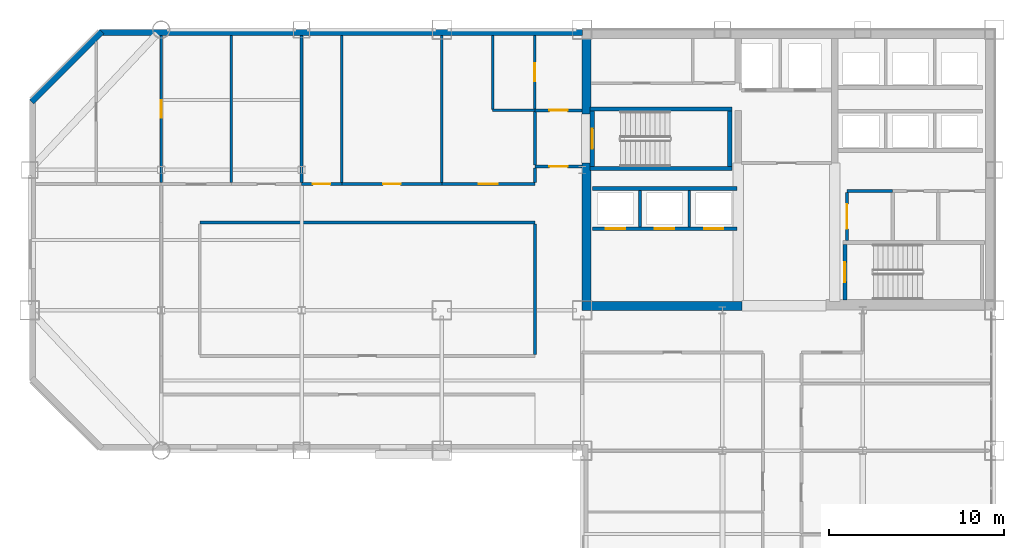
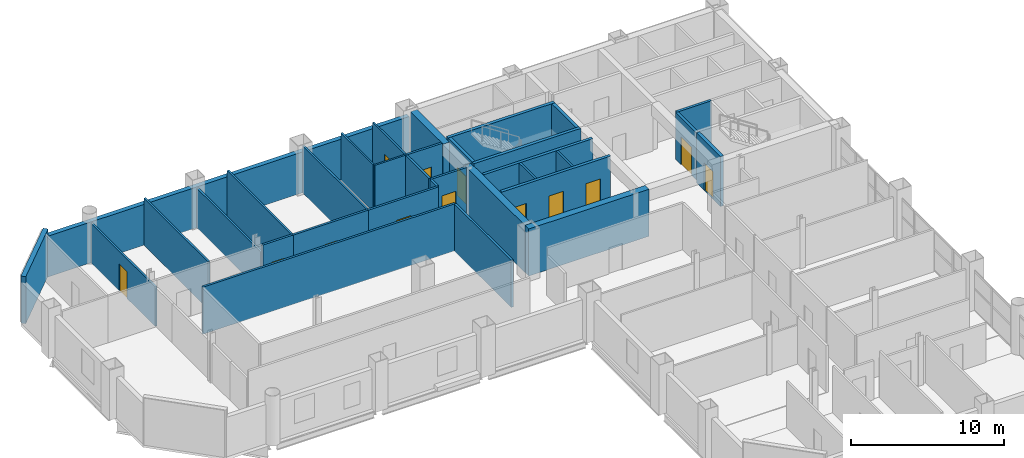
# One storey, part 13 of 16: 33 walls, 13 doors, 13 openings.
"""IFC4 building model written with IfcOpenShell, lengths in metres."""

from ifc_helpers import new_model, si_unit, direction, frame, frame_2d, origin, place, context, subcontext, project, spatial, rectangle, extrude, material, layer, layer_set, type_object, element, fill, save


model = new_model("IFC4")

# Units and contexts
model_context = context("Model", 3, precision=1e-05, world=origin(), true_north=direction((0.0, 1.0)))
body_context = subcontext(model_context, "Body", "Model", "MODEL_VIEW")
ifc_project = project(units=[si_unit("LENGTHUNIT", "METRE"), si_unit("AREAUNIT", "SQUARE_METRE"), si_unit("VOLUMEUNIT", "CUBIC_METRE"), si_unit("PLANEANGLEUNIT", "RADIAN"), si_unit("MASSUNIT", "GRAM", prefix="KILO")], contexts=[model_context])

# Site, building, storey
site_placement = place(None, origin())
site = spatial("IfcSite", under=ifc_project, at=site_placement, CompositionType="ELEMENT")
building_placement = place(site_placement, origin())
building = spatial("IfcBuilding", under=site, at=building_placement, Name="Qianrong Seaharbour Tower", CompositionType="ELEMENT")
storey_placement = place(building_placement, frame((0.0, 0.0, 127.0)))
storey = spatial("IfcBuildingStorey", under=building, at=storey_placement, Name="L30", CompositionType="ELEMENT", Elevation=127.0)

# Walls
ifc_material_1 = material(Name="Concrete C60/75", Category="concrete")
ifc_layer_1 = layer(ifc_material_1, 0.5)
ifc_layer_set_1 = layer_set([ifc_layer_1], Name="Concrete C60/75")
wall_type_1 = type_object("IfcWallType", Name="WALL-CORE-500", PredefinedType="SHEAR", material=ifc_layer_set_1)
wall_1_placement = place(storey_placement, frame((40.75, 36.5, 0.0), z_axis=(0.0, 0.0, 1.0), x_axis=(0.0, 1.0, 0.0)))
element("IfcWall", 1, at=wall_1_placement, inside=storey, type_object=wall_type_1, Name="L30 West Core Shear Wall South", PredefinedType="SHEAR", context=body_context, shape_type="SweptSolid", body=[
    extrude(rectangle(XDim=7.89990234375, YDim=0.5, at=frame_2d((3.949951171875, 0.0))), origin(), (0.0, 0.0, 1.0), 3.764892578125),
])
wall_2_placement = place(storey_placement, frame((40.75, 47.199951171875, 0.0), z_axis=(0.0, 0.0, 1.0), x_axis=(0.0, 1.0, 0.0)))
element("IfcWall", 2, at=wall_2_placement, inside=storey, type_object=wall_type_1, Name="L30 West Core Shear Wall North", PredefinedType="SHEAR", context=body_context, shape_type="SweptSolid", body=[
    extrude(rectangle(XDim=4.300048828125, YDim=0.5, at=frame_2d((2.14990234375, 0.0))), origin(), (0.0, 0.0, 1.0), 3.764892578125),
])
wall_3_placement = place(storey_placement, frame((40.5, 36.25, 0.0), z_axis=(0.0, 0.0, 1.0), x_axis=(1.0, 0.0, 0.0)))
element("IfcWall", 3, at=wall_3_placement, inside=storey, type_object=wall_type_1, Name="L30 South Core Shear Wall S1", PredefinedType="SHEAR", context=body_context, shape_type="SweptSolid", body=[
    extrude(rectangle(XDim=9.10009765625, YDim=0.5, at=frame_2d((4.550048828125, 0.0))), origin(), (0.0, 0.0, 1.0), 3.764892578125),
])

# Wall, opening, door
ifc_material_2 = material(Name="Fire-rated acoustic gypsum board partition")
ifc_layer_2 = layer(ifc_material_2, 0.1650390625)
ifc_layer_set_2 = layer_set([ifc_layer_2], Name="Fire-rated acoustic gypsum board partition")
wall_type_2 = type_object("IfcWallType", Name="WALL-CORR-PART-165", PredefinedType="PARTITIONING", material=ifc_layer_set_2)
wall_4_placement = place(storey_placement, frame((37.800048828125, 47.39990234375, 0.0), z_axis=(0.0, 0.0, 1.0), x_axis=(1.0, 0.0, 0.0)))
wall_4 = element("IfcWall", 4, at=wall_4_placement, inside=storey, type_object=wall_type_2, Name="L30 Interior Partition Wall 001", PredefinedType="PARTITIONING", context=body_context, shape_type="SweptSolid", body=[
    extrude(rectangle(XDim=2.699951171875, YDim=0.1650390625, at=frame_2d((1.35009765625, 0.0))), origin(), (0.0, 0.0, 1.0), 3.764892578125),
])
opening_1_placement = place(wall_4_placement, frame((0.824951171875, 0.0, 0.0)))
opening_1 = element("IfcOpeningElement", 5, at=opening_1_placement, cuts=wall_4, Name="Opening DC-01", PredefinedType="OPENING", context=body_context, shape_type="SweptSolid", body=[
    extrude(rectangle(XDim=1.050048828125, YDim=2.14990234375, at=frame_2d((0.52490234375, 1.074951171875))), frame((0.0, 0.092529296875, 0.0), z_axis=(0.0, -1.0, 0.0), x_axis=(1.0, 0.0, 0.0)), (0.0, 0.0, 1.0), 0.18505859375),
])
ifc_material_3 = material(Name="Acoustic timber and galvanized steel fire door assembly", Category="steel")
door_type_1 = type_object("IfcDoorType", Name="DOOR-CORR-FD60-1050x2150", OperationType="NOTDEFINED", PredefinedType="DOOR", material=ifc_material_3)
door_1_placement = place(opening_1_placement, origin())
door_1 = element("IfcDoor", 6, at=door_1_placement, inside=storey, type_object=door_type_1, Name="L30 Smokeproof Stair Vestibule ST-1 Door", OperationType="SINGLE_SWING_RIGHT", OverallHeight=2.14990234375, OverallWidth=1.050048828125, PredefinedType="DOOR", context=body_context, shape_type="SweptSolid", body=[
    extrude(rectangle(XDim=1.050048828125, YDim=2.14990234375, at=frame_2d((0.52490234375, 1.074951171875))), frame((0.0, 0.02490234375, 0.0), z_axis=(0.0, -1.0, 0.0), x_axis=(1.0, 0.0, 0.0)), (0.0, 0.0, 1.0), 0.050048828125),
])
fill(opening_1, door_1)

wall_5_placement = place(storey_placement, frame((40.5, 44.199951171875, 0.0), z_axis=(0.0, 0.0, 1.0), x_axis=(-1.0, 0.0, 0.0)))
wall_5 = element("IfcWall", 7, at=wall_5_placement, inside=storey, type_object=wall_type_2, Name="L30 Interior Partition Wall 002", PredefinedType="PARTITIONING", context=body_context, shape_type="SweptSolid", body=[
    extrude(rectangle(XDim=2.699951171875, YDim=0.1650390625, at=frame_2d((1.35009765625, 0.0))), origin(), (0.0, 0.0, 1.0), 3.764892578125),
])
opening_2_placement = place(wall_5_placement, frame((0.824951171875, 0.0, 0.0)))
opening_2 = element("IfcOpeningElement", 8, at=opening_2_placement, cuts=wall_5, Name="Opening DC-01", PredefinedType="OPENING", context=body_context, shape_type="SweptSolid", body=[
    extrude(rectangle(XDim=1.050048828125, YDim=2.14990234375, at=frame_2d((0.52490234375, 1.074951171875))), frame((0.0, 0.092529296875, 0.0), z_axis=(0.0, -1.0, 0.0), x_axis=(1.0, 0.0, 0.0)), (0.0, 0.0, 1.0), 0.18505859375),
])
door_2_placement = place(opening_2_placement, origin())
door_2 = element("IfcDoor", 9, at=door_2_placement, inside=storey, type_object=door_type_1, Name="L30 Smokeproof Stair Vestibule ST-1 Door", OperationType="SINGLE_SWING_LEFT", OverallHeight=2.14990234375, OverallWidth=1.050048828125, PredefinedType="DOOR", context=body_context, shape_type="SweptSolid", body=[
    extrude(rectangle(XDim=1.050048828125, YDim=2.14990234375, at=frame_2d((0.52490234375, 1.074951171875))), frame((0.0, 0.02490234375, 0.0), z_axis=(0.0, -1.0, 0.0), x_axis=(1.0, 0.0, 0.0)), (0.0, 0.0, 1.0), 0.050048828125),
])
fill(opening_2, door_2)

# Walls
wall_6_placement = place(storey_placement, frame((37.800048828125, 44.2744140625, 0.0), z_axis=(0.0, 0.0, 1.0), x_axis=(0.0, 1.0, 0.0)))
element("IfcWall", 10, at=wall_6_placement, inside=storey, type_object=wall_type_2, Name="L30 Interior Partition Wall 003", PredefinedType="PARTITIONING", context=body_context, shape_type="SweptSolid", body=[
    extrude(rectangle(XDim=3.051025390625, YDim=0.1650390625, at=frame_2d((1.525390625, 0.0))), origin(), (0.0, 0.0, 1.0), 3.764892578125),
])
wall_7_placement = place(storey_placement, frame((37.800048828125, 41.0, 0.0), z_axis=(0.0, 0.0, 1.0), x_axis=(-1.0, 0.0, 0.0)))
element("IfcWall", 11, at=wall_7_placement, inside=storey, type_object=wall_type_2, Name="L30 Interior Partition Wall 021", PredefinedType="PARTITIONING", context=body_context, shape_type="SweptSolid", body=[
    extrude(rectangle(XDim=19.10009765625, YDim=0.1650390625, at=frame_2d((9.550048828125, 0.0))), origin(), (0.0, 0.0, 1.0), 3.764892578125),
])

# Wall, opening, door
wall_8_placement = place(storey_placement, frame((24.5, 43.199951171875, 0.0), z_axis=(0.0, 0.0, 1.0), x_axis=(1.0, 0.0, 0.0)))
wall_8 = element("IfcWall", 12, at=wall_8_placement, inside=storey, type_object=wall_type_2, Name="L30 Interior Partition Wall 024", PredefinedType="PARTITIONING", context=body_context, shape_type="SweptSolid", body=[
    extrude(rectangle(XDim=2.300048828125, YDim=0.1650390625, at=frame_2d((1.14990234375, 0.0))), origin(), (0.0, 0.0, 1.0), 3.764892578125),
])
opening_3_placement = place(wall_8_placement, frame((0.64990234375, 0.0, 0.0)))
opening_3 = element("IfcOpeningElement", 13, at=opening_3_placement, cuts=wall_8, Name="Opening DO-01", PredefinedType="OPENING", context=body_context, shape_type="SweptSolid", body=[
    extrude(rectangle(XDim=1.0, YDim=2.14990234375, at=frame_2d((0.5, 1.074951171875))), frame((0.0, 0.092529296875, 0.0), z_axis=(0.0, -1.0, 0.0), x_axis=(1.0, 0.0, 0.0)), (0.0, 0.0, 1.0), 0.18505859375),
])
door_type_2 = type_object("IfcDoorType", Name="DOOR-OFFICE-1000x2150", OperationType="NOTDEFINED", PredefinedType="DOOR", material=ifc_material_3)
door_3_placement = place(opening_3_placement, origin())
door_3 = element("IfcDoor", 14, at=door_3_placement, inside=storey, type_object=door_type_2, Name="L30 Executive Office 5 Door", OperationType="SINGLE_SWING_LEFT", OverallHeight=2.14990234375, OverallWidth=1.0, PredefinedType="DOOR", context=body_context, shape_type="SweptSolid", body=[
    extrude(rectangle(XDim=1.0, YDim=2.14990234375, at=frame_2d((0.5, 1.074951171875))), frame((0.0, 0.02490234375, 0.0), z_axis=(0.0, -1.0, 0.0), x_axis=(1.0, 0.0, 0.0)), (0.0, 0.0, 1.0), 0.050048828125),
])
fill(opening_3, door_3)

wall_9_placement = place(storey_placement, frame((26.800048828125, 43.199951171875, 0.0), z_axis=(0.0, 0.0, 1.0), x_axis=(1.0, 0.0, 0.0)))
wall_9 = element("IfcWall", 15, at=wall_9_placement, inside=storey, type_object=wall_type_2, Name="L30 Interior Partition Wall 025", PredefinedType="PARTITIONING", context=body_context, shape_type="SweptSolid", body=[
    extrude(rectangle(XDim=5.699951171875, YDim=0.1650390625, at=frame_2d((2.85009765625, 0.0))), origin(), (0.0, 0.0, 1.0), 3.764892578125),
])
opening_4_placement = place(wall_9_placement, frame((2.35009765625, 0.0, 0.0)))
opening_4 = element("IfcOpeningElement", 16, at=opening_4_placement, cuts=wall_9, Name="Opening DO-01", PredefinedType="OPENING", context=body_context, shape_type="SweptSolid", body=[
    extrude(rectangle(XDim=1.0, YDim=2.14990234375, at=frame_2d((0.5, 1.074951171875))), frame((0.0, 0.092529296875, 0.0), z_axis=(0.0, -1.0, 0.0), x_axis=(1.0, 0.0, 0.0)), (0.0, 0.0, 1.0), 0.18505859375),
])
door_4_placement = place(opening_4_placement, origin())
door_4 = element("IfcDoor", 17, at=door_4_placement, inside=storey, type_object=door_type_2, Name="L30 Focus Room 6 Door", OperationType="SINGLE_SWING_RIGHT", OverallHeight=2.14990234375, OverallWidth=1.0, PredefinedType="DOOR", context=body_context, shape_type="SweptSolid", body=[
    extrude(rectangle(XDim=1.0, YDim=2.14990234375, at=frame_2d((0.5, 1.074951171875))), frame((0.0, 0.02490234375, 0.0), z_axis=(0.0, -1.0, 0.0), x_axis=(1.0, 0.0, 0.0)), (0.0, 0.0, 1.0), 0.050048828125),
])
fill(opening_4, door_4)

wall_10_placement = place(storey_placement, frame((32.5, 43.199951171875, 0.0), z_axis=(0.0, 0.0, 1.0), x_axis=(1.0, 0.0, 0.0)))
wall_10 = element("IfcWall", 18, at=wall_10_placement, inside=storey, type_object=wall_type_2, Name="L30 Interior Partition Wall 026", PredefinedType="PARTITIONING", context=body_context, shape_type="SweptSolid", body=[
    extrude(rectangle(XDim=5.300048828125, YDim=0.1650390625, at=frame_2d((2.64990234375, 0.0))), origin(), (0.0, 0.0, 1.0), 3.764892578125),
])
opening_5_placement = place(wall_10_placement, frame((2.10009765625, 0.0, 0.0)))
opening_5 = element("IfcOpeningElement", 19, at=opening_5_placement, cuts=wall_10, Name="Opening DM-01", PredefinedType="OPENING", context=body_context, shape_type="SweptSolid", body=[
    extrude(rectangle(XDim=1.10009765625, YDim=2.199951171875, at=frame_2d((0.550048828125, 1.10009765625))), frame((0.0, 0.092529296875, 0.0), z_axis=(0.0, -1.0, 0.0), x_axis=(1.0, 0.0, 0.0)), (0.0, 0.0, 1.0), 0.18505859375),
])
door_type_3 = type_object("IfcDoorType", Name="DOOR-MEET-1100x2200", OperationType="NOTDEFINED", PredefinedType="DOOR", material=ifc_material_3)
door_5_placement = place(opening_5_placement, origin())
door_5 = element("IfcDoor", 20, at=door_5_placement, inside=storey, type_object=door_type_3, Name="L30 Meeting Room 7 Door", OperationType="SINGLE_SWING_LEFT", OverallHeight=2.199951171875, OverallWidth=1.10009765625, PredefinedType="DOOR", context=body_context, shape_type="SweptSolid", body=[
    extrude(rectangle(XDim=1.10009765625, YDim=2.199951171875, at=frame_2d((0.550048828125, 1.10009765625))), frame((0.0, 0.02490234375, 0.0), z_axis=(0.0, -1.0, 0.0), x_axis=(1.0, 0.0, 0.0)), (0.0, 0.0, 1.0), 0.050048828125),
])
fill(opening_5, door_5)

# Walls
wall_11_placement = place(storey_placement, frame((37.800048828125, 33.474609375, 0.0), z_axis=(0.0, 0.0, 1.0), x_axis=(0.0, 1.0, 0.0)))
element("IfcWall", 21, at=wall_11_placement, inside=storey, type_object=wall_type_2, Name="L30 Interior Partition Wall 029", PredefinedType="PARTITIONING", context=body_context, shape_type="SweptSolid", body=[
    extrude(rectangle(XDim=7.450927734375, YDim=0.1650390625, at=frame_2d((3.7255859375, 0.0))), origin(), (0.0, 0.0, 1.0), 3.764892578125),
])
wall_12_placement = place(storey_placement, frame((37.800048828125, 43.2744140625, 0.0), z_axis=(0.0, 0.0, 1.0), x_axis=(0.0, 1.0, 0.0)))
element("IfcWall", 22, at=wall_12_placement, inside=storey, type_object=wall_type_2, Name="L30 Interior Partition Wall 030", PredefinedType="PARTITIONING", context=body_context, shape_type="SweptSolid", body=[
    extrude(rectangle(XDim=0.85107421875, YDim=0.1650390625, at=frame_2d((0.425537109375, 0.0))), origin(), (0.0, 0.0, 1.0), 3.764892578125),
])
ifc_material_4 = material(Name="Unitised buff brick on Precast concrete C45/55", Category="masonry")
ifc_layer_3 = layer(ifc_material_4, 0.340087890625)
ifc_layer_set_3 = layer_set([ifc_layer_3], Name="Unitised buff brick on Precast concrete C45/55")
wall_type_3 = type_object("IfcWallType", Name="WALL-EXT-BRICK-BUFF-340", PredefinedType="SOLIDWALL", material=ifc_layer_set_3)
wall_13_placement = place(storey_placement, frame((9.1201171875, 47.8798828125, 0.0), z_axis=(0.0, 0.0, 1.0), x_axis=(0.707106781187, 0.707106781187, 0.0)))
element("IfcWall", 23, at=wall_13_placement, inside=storey, type_object=wall_type_3, Name="L30 Exterior Masonry Facade Wall E04", PredefinedType="SOLIDWALL", context=body_context, shape_type="SweptSolid", body=[
    extrude(rectangle(XDim=5.65673828125, YDim=0.340087890625, at=frame_2d((2.828369140625, 0.0))), origin(), (0.0, 0.0, 1.0), 3.764892578125),
])
wall_14_placement = place(storey_placement, frame((13.0, 51.830078125, 0.0), z_axis=(0.0, 0.0, 1.0), x_axis=(1.0, 0.0, 0.0)))
element("IfcWall", 24, at=wall_14_placement, inside=storey, type_object=wall_type_3, Name="L30 Exterior Masonry Facade Wall NORTH_WING", PredefinedType="SOLIDWALL", context=body_context, shape_type="SweptSolid", body=[
    extrude(rectangle(XDim=27.52001953125, YDim=0.340087890625, at=frame_2d((13.760009765625, 0.0))), origin(), (0.0, 0.0, 1.0), 3.264892578125),
])

# Wall, opening, door
ifc_material_5 = material(Name="Double fire-rated gypsum board acoustic partition")
ifc_layer_4 = layer(ifc_material_5, 0.18994140625)
ifc_layer_set_4 = layer_set([ifc_layer_4], Name="Double fire-rated gypsum board acoustic partition")
wall_type_4 = type_object("IfcWallType", Name="WALL-FIRE-PART-190", PredefinedType="PARTITIONING", material=ifc_layer_set_4)
wall_15_placement = place(storey_placement, frame((55.60009765625, 42.712890625, 0.0), z_axis=(0.0, 0.0, 1.0), x_axis=(0.0, -1.0, 0.0)))
wall_15 = element("IfcWall", 25, at=wall_15_placement, inside=storey, type_object=wall_type_4, Name="L30 Interior Partition Wall 010", PredefinedType="PARTITIONING", context=body_context, shape_type="SweptSolid", body=[
    extrude(rectangle(XDim=2.73095703125, YDim=0.18994140625, at=frame_2d((1.365478515625, 0.0))), origin(), (0.0, 0.0, 1.0), 3.764892578125),
])
opening_6_placement = place(wall_15_placement, frame((0.66552734375, 0.0, 0.0)))
opening_6 = element("IfcOpeningElement", 26, at=opening_6_placement, cuts=wall_15, Name="Opening DP-01", PredefinedType="OPENING", context=body_context, shape_type="SweptSolid", body=[
    extrude(rectangle(XDim=1.39990234375, YDim=2.25, at=frame_2d((0.699951171875, 1.125))), frame((0.0, 0.10498046875, 0.0), z_axis=(0.0, -1.0, 0.0), x_axis=(1.0, 0.0, 0.0)), (0.0, 0.0, 1.0), 0.2099609375),
])
door_type_4 = type_object("IfcDoorType", Name="DOOR-PLANT-PAIR-1400x2250", OperationType="DOUBLE_DOOR_SINGLE_SWING", PredefinedType="DOOR", material=ifc_material_3)
door_6_placement = place(opening_6_placement, origin())
door_6 = element("IfcDoor", 27, at=door_6_placement, inside=storey, type_object=door_type_4, Name="L30 Core Telecom Room Door", OperationType="DOUBLE_DOOR_SINGLE_SWING", OverallHeight=2.25, OverallWidth=1.39990234375, PredefinedType="DOOR", context=body_context, shape_type="SweptSolid", body=[
    extrude(rectangle(XDim=1.39990234375, YDim=2.25, at=frame_2d((0.699951171875, 1.125))), frame((0.0, 0.02490234375, 0.0), z_axis=(0.0, -1.0, 0.0), x_axis=(1.0, 0.0, 0.0)), (0.0, 0.0, 1.0), 0.050048828125),
])
fill(opening_6, door_6)

# Wall
wall_16_placement = place(storey_placement, frame((58.199951171875, 42.800048828125, 0.0), z_axis=(0.0, 0.0, 1.0), x_axis=(-1.0, 0.0, 0.0)))
element("IfcWall", 28, at=wall_16_placement, inside=storey, type_object=wall_type_4, Name="L30 Interior Partition Wall 011", PredefinedType="PARTITIONING", context=body_context, shape_type="SweptSolid", body=[
    extrude(rectangle(XDim=2.599853515625, YDim=0.18994140625, at=frame_2d((1.2998046875, 0.0))), origin(), (0.0, 0.0, 1.0), 3.764892578125),
])

# Wall, opening, door
ifc_material_6 = material(Name="Acoustic gypsum board stud partition")
ifc_layer_5 = layer(ifc_material_6, 0.14501953125)
ifc_layer_set_5 = layer_set([ifc_layer_5], Name="Acoustic gypsum board stud partition")
wall_type_5 = type_object("IfcWallType", Name="WALL-OFFICE-PART-145", PredefinedType="PARTITIONING", material=ifc_layer_set_5)
wall_17_placement = place(storey_placement, frame((16.5, 51.66796875, 0.0), z_axis=(0.0, 0.0, 1.0), x_axis=(0.0, -1.0, 0.0)))
wall_17 = element("IfcWall", 29, at=wall_17_placement, inside=storey, type_object=wall_type_5, Name="L30 Interior Partition Wall 051", PredefinedType="PARTITIONING", context=body_context, shape_type="SweptSolid", body=[
    extrude(rectangle(XDim=8.3935546875, YDim=0.14501953125, at=frame_2d((4.19677734375, 0.0))), origin(), (0.0, 0.0, 1.0), 3.156982421875),
])
opening_7_placement = place(wall_17_placement, frame((3.69677734375, 0.0, 0.0)))
opening_7 = element("IfcOpeningElement", 30, at=opening_7_placement, cuts=wall_17, Name="Opening DO-01", PredefinedType="OPENING", context=body_context, shape_type="SweptSolid", body=[
    extrude(rectangle(XDim=1.0, YDim=2.14990234375, at=frame_2d((0.5, 1.074951171875))), frame((0.0, 0.08251953125, 0.0), z_axis=(0.0, -1.0, 0.0), x_axis=(1.0, 0.0, 0.0)), (0.0, 0.0, 1.0), 0.1650390625),
])
door_7_placement = place(opening_7_placement, origin())
door_7 = element("IfcDoor", 31, at=door_7_placement, inside=storey, type_object=door_type_2, Name="L30 Focus Room 2 Door", OperationType="SINGLE_SWING_RIGHT", OverallHeight=2.14990234375, OverallWidth=1.0, PredefinedType="DOOR", context=body_context, shape_type="SweptSolid", body=[
    extrude(rectangle(XDim=1.0, YDim=2.14990234375, at=frame_2d((0.5, 1.074951171875))), frame((0.0, 0.02490234375, 0.0), z_axis=(0.0, -1.0, 0.0), x_axis=(1.0, 0.0, 0.0)), (0.0, 0.0, 1.0), 0.050048828125),
])
fill(opening_7, door_7)

# Walls
wall_18_placement = place(storey_placement, frame((20.5, 51.66796875, 0.0), z_axis=(0.0, 0.0, 1.0), x_axis=(0.0, -1.0, 0.0)))
element("IfcWall", 32, at=wall_18_placement, inside=storey, type_object=wall_type_5, Name="L30 Interior Partition Wall 052", PredefinedType="PARTITIONING", context=body_context, shape_type="SweptSolid", body=[
    extrude(rectangle(XDim=8.3935546875, YDim=0.14501953125, at=frame_2d((4.19677734375, 0.0))), origin(), (0.0, 0.0, 1.0), 3.764892578125),
])
wall_19_placement = place(storey_placement, frame((24.5, 51.66796875, 0.0), z_axis=(0.0, 0.0, 1.0), x_axis=(0.0, -1.0, 0.0)))
element("IfcWall", 33, at=wall_19_placement, inside=storey, type_object=wall_type_5, Name="L30 Interior Partition Wall 053", PredefinedType="PARTITIONING", context=body_context, shape_type="SweptSolid", body=[
    extrude(rectangle(XDim=8.3935546875, YDim=0.14501953125, at=frame_2d((4.19677734375, 0.0))), origin(), (0.0, 0.0, 1.0), 3.156982421875),
])
for number, where, z_axis, x_axis, name in (
    (34, (26.800048828125, 51.66796875, 0.0), (0.0, 0.0, 1.0), (0.0, -1.0, 0.0), "L30 Interior Partition Wall 054"),
    (35, (32.5, 51.66796875, 0.0), (0.0, 0.0, 1.0), (0.0, -1.0, 0.0), "L30 Interior Partition Wall 055"),
):
    element("IfcWall", number, at=place(storey_placement, frame(where, z_axis=z_axis, x_axis=x_axis)), inside=storey, type_object=wall_type_5, Name=name, PredefinedType="PARTITIONING", context=body_context, shape_type="SweptSolid", body=[
        extrude(rectangle(XDim=8.3935546875, YDim=0.14501953125, at=frame_2d((4.19677734375, 0.0))), origin(), (0.0, 0.0, 1.0), 3.764892578125),
    ])
ifc_material_7 = material(Name="Fire-rated gypsum board on steel studs", Category="steel")
ifc_layer_6 = layer(ifc_material_7, 0.14990234375)
ifc_layer_set_6 = layer_set([ifc_layer_6], Name="Fire-rated gypsum board on steel studs")
wall_type_6 = type_object("IfcWallType", Name="WALL-SHAFT-DIV-150", PredefinedType="PARTITIONING", material=ifc_layer_set_6)
for number, where, z_axis, x_axis, name in (
    (36, (43.800048828125, 40.760009765625, 0.0), (0.0, 0.0, 1.0), (0.0, 1.0, 0.0), "L30 P2 Lift Hoistway Divider 2"),
    (37, (46.60009765625, 40.760009765625, 0.0), (0.0, 0.0, 1.0), (0.0, 1.0, 0.0), "L30 P2 Lift Hoistway Divider 3"),
):
    element("IfcWall", number, at=place(storey_placement, frame(where, z_axis=z_axis, x_axis=x_axis)), inside=storey, type_object=wall_type_6, Name=name, PredefinedType="PARTITIONING", context=body_context, shape_type="SweptSolid", body=[
        extrude(rectangle(XDim=2.080078125, YDim=0.14990234375, at=frame_2d((1.0400390625, 0.0))), origin(), (0.0, 0.0, 1.0), 3.764892578125),
    ])

# Wall, openings, doors
ifc_layer_7 = layer(ifc_material_7, 0.219970703125)
ifc_layer_set_7 = layer_set([ifc_layer_7], Name="Fire-rated gypsum board on steel studs")
wall_type_7 = type_object("IfcWallType", Name="WALL-SHAFT-GYP220", PredefinedType="PARTITIONING", material=ifc_layer_set_7)
wall_20_placement = place(storey_placement, frame((49.320068359375, 40.64990234375, 0.0), z_axis=(0.0, 0.0, 1.0), x_axis=(-1.0, 0.0, 0.0)))
wall_20 = element("IfcWall", 38, at=wall_20_placement, inside=storey, type_object=wall_type_7, Name="L30 P2 Lift Hoistway Front Wall", PredefinedType="PARTITIONING", context=body_context, shape_type="SweptSolid", body=[
    extrude(rectangle(XDim=8.239990234375, YDim=0.219970703125, at=frame_2d((4.1201171875, 0.0))), origin(), (0.0, 0.0, 1.0), 3.764892578125),
])
opening_8_placement = place(wall_20_placement, frame((6.3701171875, 0.0, 0.0)))
opening_8 = element("IfcOpeningElement", 39, at=opening_8_placement, cuts=wall_20, Name="Opening LD-02", PredefinedType="OPENING", context=body_context, shape_type="SweptSolid", body=[
    extrude(rectangle(XDim=1.10009765625, YDim=2.199951171875, at=frame_2d((0.550048828125, 1.10009765625))), frame((0.0, 0.1201171875, 0.0), z_axis=(0.0, -1.0, 0.0), x_axis=(1.0, 0.0, 0.0)), (0.0, 0.0, 1.0), 0.239990234375),
])
opening_9_placement = place(wall_20_placement, frame((3.570068359375, 0.0, 0.0)))
opening_9 = element("IfcOpeningElement", 40, at=opening_9_placement, cuts=wall_20, Name="Opening LD-02", PredefinedType="OPENING", context=body_context, shape_type="SweptSolid", body=[
    extrude(rectangle(XDim=1.10009765625, YDim=2.199951171875, at=frame_2d((0.550048828125, 1.10009765625))), frame((0.0, 0.1201171875, 0.0), z_axis=(0.0, -1.0, 0.0), x_axis=(1.0, 0.0, 0.0)), (0.0, 0.0, 1.0), 0.239990234375),
])
opening_10_placement = place(wall_20_placement, frame((0.77001953125, 0.0, 0.0)))
opening_10 = element("IfcOpeningElement", 41, at=opening_10_placement, cuts=wall_20, Name="Opening LD-02", PredefinedType="OPENING", context=body_context, shape_type="SweptSolid", body=[
    extrude(rectangle(XDim=1.10009765625, YDim=2.199951171875, at=frame_2d((0.550048828125, 1.10009765625))), frame((0.0, 0.1201171875, 0.0), z_axis=(0.0, -1.0, 0.0), x_axis=(1.0, 0.0, 0.0)), (0.0, 0.0, 1.0), 0.239990234375),
])
ifc_material_8 = material(Name="Stainless steel SUS316L bi-parting lift landing door", Category="steel")
door_type_5 = type_object("IfcDoorType", Name="DOOR-LIFT-PASS-1100x2200", OperationType="DOUBLE_DOOR_SLIDING", PredefinedType="DOOR", material=ifc_material_8)
door_8_placement = place(opening_8_placement, origin())
door_8 = element("IfcDoor", 42, at=door_8_placement, inside=storey, type_object=door_type_5, Name="L30 PL-2A Lift Landing Door", OperationType="DOUBLE_DOOR_SLIDING", OverallHeight=2.199951171875, OverallWidth=1.10009765625, PredefinedType="DOOR", context=body_context, shape_type="SweptSolid", body=[
    extrude(rectangle(XDim=1.10009765625, YDim=2.199951171875, at=frame_2d((0.550048828125, 1.10009765625))), frame((0.0, 0.02490234375, 0.0), z_axis=(0.0, -1.0, 0.0), x_axis=(1.0, 0.0, 0.0)), (0.0, 0.0, 1.0), 0.050048828125),
])
fill(opening_8, door_8)
door_9_placement = place(opening_9_placement, origin())
door_9 = element("IfcDoor", 43, at=door_9_placement, inside=storey, type_object=door_type_5, Name="L30 PL-2B Lift Landing Door", OperationType="DOUBLE_DOOR_SLIDING", OverallHeight=2.199951171875, OverallWidth=1.10009765625, PredefinedType="DOOR", context=body_context, shape_type="SweptSolid", body=[
    extrude(rectangle(XDim=1.10009765625, YDim=2.199951171875, at=frame_2d((0.550048828125, 1.10009765625))), frame((0.0, 0.02490234375, 0.0), z_axis=(0.0, -1.0, 0.0), x_axis=(1.0, 0.0, 0.0)), (0.0, 0.0, 1.0), 0.050048828125),
])
fill(opening_9, door_9)
door_10_placement = place(opening_10_placement, origin())
door_10 = element("IfcDoor", 44, at=door_10_placement, inside=storey, type_object=door_type_5, Name="L30 PL-2C Lift Landing Door", OperationType="DOUBLE_DOOR_SLIDING", OverallHeight=2.199951171875, OverallWidth=1.10009765625, PredefinedType="DOOR", context=body_context, shape_type="SweptSolid", body=[
    extrude(rectangle(XDim=1.10009765625, YDim=2.199951171875, at=frame_2d((0.550048828125, 1.10009765625))), frame((0.0, 0.02490234375, 0.0), z_axis=(0.0, -1.0, 0.0), x_axis=(1.0, 0.0, 0.0)), (0.0, 0.0, 1.0), 0.050048828125),
])
fill(opening_10, door_10)

# Walls
wall_21_placement = place(storey_placement, frame((41.080078125, 42.949951171875, 0.0), z_axis=(0.0, 0.0, 1.0), x_axis=(1.0, 0.0, 0.0)))
element("IfcWall", 45, at=wall_21_placement, inside=storey, type_object=wall_type_7, Name="L30 P2 Lift Hoistway Back Wall", PredefinedType="PARTITIONING", context=body_context, shape_type="SweptSolid", body=[
    extrude(rectangle(XDim=8.239990234375, YDim=0.219970703125, at=frame_2d((4.1201171875, 0.0))), origin(), (0.0, 0.0, 1.0), 3.764892578125),
])
ifc_material_9 = material(Name="Concrete C50/60", Category="concrete")
ifc_layer_8 = layer(ifc_material_9, 0.239990234375)
ifc_layer_set_8 = layer_set([ifc_layer_8], Name="Concrete C50/60")
wall_type_8 = type_object("IfcWallType", Name="WALL-SHAFT-RC240", PredefinedType="SOLIDWALL", material=ifc_layer_set_8)
for number, where, z_axis, x_axis, name in (
    (46, (40.9599609375, 47.469970703125, 0.0), (0.0, 0.0, 1.0), (1.0, 0.0, 0.0), "L30 ST-1 Structural Stair Core Wall N"),
    (47, (49.0400390625, 44.080078125, 0.0), (0.0, 0.0, 1.0), (-1.0, 0.0, 0.0), "L30 ST-1 Structural Stair Core Wall S"),
):
    element("IfcWall", number, at=place(storey_placement, frame(where, z_axis=z_axis, x_axis=x_axis)), inside=storey, type_object=wall_type_8, Name=name, PredefinedType="SOLIDWALL", context=body_context, shape_type="SweptSolid", body=[
        extrude(rectangle(XDim=8.080078125, YDim=0.239990234375, at=frame_2d((4.0400390625, 0.0))), origin(), (0.0, 0.0, 1.0), 4.0),
    ])

# Wall, opening, door
wall_22_placement = place(storey_placement, frame((41.080078125, 47.35009765625, 0.0), z_axis=(0.0, 0.0, 1.0), x_axis=(0.0, -1.0, 0.0)))
wall_22 = element("IfcWall", 48, at=wall_22_placement, inside=storey, type_object=wall_type_8, Name="L30 ST-1 Structural Stair Core Wall W", PredefinedType="SOLIDWALL", context=body_context, shape_type="SweptSolid", body=[
    extrude(rectangle(XDim=3.150146484375, YDim=0.239990234375, at=frame_2d((1.5751953125, 0.0))), origin(), (0.0, 0.0, 1.0), 4.0),
])
opening_11_placement = place(wall_22_placement, frame((1.0, 0.0, 0.0)))
opening_11 = element("IfcOpeningElement", 49, at=opening_11_placement, cuts=wall_22, Name="Opening SD-01", PredefinedType="OPENING", context=body_context, shape_type="SweptSolid", body=[
    extrude(rectangle(XDim=1.14990234375, YDim=2.199951171875, at=frame_2d((0.574951171875, 1.10009765625))), frame((0.0, 0.1298828125, 0.0), z_axis=(0.0, -1.0, 0.0), x_axis=(1.0, 0.0, 0.0)), (0.0, 0.0, 1.0), 0.260009765625),
])
door_type_6 = type_object("IfcDoorType", Name="DOOR-STAIR-FD60-1150x2200", OperationType="NOTDEFINED", PredefinedType="DOOR", material=ifc_material_3)
door_11_placement = place(opening_11_placement, origin())
door_11 = element("IfcDoor", 50, at=door_11_placement, inside=storey, type_object=door_type_6, Name="L30 ST-1 Protected Stair Door", OperationType="SINGLE_SWING_LEFT", OverallHeight=2.199951171875, OverallWidth=1.14990234375, PredefinedType="DOOR", context=body_context, shape_type="SweptSolid", body=[
    extrude(rectangle(XDim=1.14990234375, YDim=2.199951171875, at=frame_2d((0.574951171875, 1.10009765625))), frame((0.0, 0.02490234375, 0.0), z_axis=(0.0, -1.0, 0.0), x_axis=(1.0, 0.0, 0.0)), (0.0, 0.0, 1.0), 0.050048828125),
])
fill(opening_11, door_11)

# Wall
wall_23_placement = place(storey_placement, frame((48.919921875, 44.199951171875, 0.0), z_axis=(0.0, 0.0, 1.0), x_axis=(0.0, 1.0, 0.0)))
element("IfcWall", 51, at=wall_23_placement, inside=storey, type_object=wall_type_8, Name="L30 ST-1 Structural Stair Core Wall E", PredefinedType="SOLIDWALL", context=body_context, shape_type="SweptSolid", body=[
    extrude(rectangle(XDim=3.150146484375, YDim=0.239990234375, at=frame_2d((1.5751953125, 0.0))), origin(), (0.0, 0.0, 1.0), 4.0),
])

# Wall, opening, door
wall_24_placement = place(storey_placement, frame((55.47998046875, 39.75, 0.0), z_axis=(0.0, 0.0, 1.0), x_axis=(0.0, -1.0, 0.0)))
wall_24 = element("IfcWall", 52, at=wall_24_placement, inside=storey, type_object=wall_type_8, Name="L30 ST-2 Structural Stair Core Wall W", PredefinedType="SOLIDWALL", context=body_context, shape_type="SweptSolid", body=[
    extrude(rectangle(XDim=3.14990234375, YDim=0.239990234375, at=frame_2d((1.574951171875, 0.0))), origin(), (0.0, 0.0, 1.0), 4.0),
])
opening_12_placement = place(wall_24_placement, frame((1.0, 0.0, 0.0)))
opening_12 = element("IfcOpeningElement", 53, at=opening_12_placement, cuts=wall_24, Name="Opening SD-01", PredefinedType="OPENING", context=body_context, shape_type="SweptSolid", body=[
    extrude(rectangle(XDim=1.14990234375, YDim=2.199951171875, at=frame_2d((0.574951171875, 1.10009765625))), frame((0.0, 0.1298828125, 0.0), z_axis=(0.0, -1.0, 0.0), x_axis=(1.0, 0.0, 0.0)), (0.0, 0.0, 1.0), 0.260009765625),
])
door_12_placement = place(opening_12_placement, origin())
door_12 = element("IfcDoor", 54, at=door_12_placement, inside=storey, type_object=door_type_6, Name="L30 ST-2 Protected Stair Door", OperationType="SINGLE_SWING_LEFT", OverallHeight=2.199951171875, OverallWidth=1.14990234375, PredefinedType="DOOR", context=body_context, shape_type="SweptSolid", body=[
    extrude(rectangle(XDim=1.14990234375, YDim=2.199951171875, at=frame_2d((0.574951171875, 1.10009765625))), frame((0.0, 0.02490234375, 0.0), z_axis=(0.0, -1.0, 0.0), x_axis=(1.0, 0.0, 0.0)), (0.0, 0.0, 1.0), 0.050048828125),
])
fill(opening_12, door_12)

ifc_material_10 = material(Name="Water-resistant cement board sanitary partition")
ifc_layer_9 = layer(ifc_material_10, 0.1298828125)
ifc_layer_set_9 = layer_set([ifc_layer_9], Name="Water-resistant cement board sanitary partition")
wall_type_9 = type_object("IfcWallType", Name="WALL-WET-PART-130", PredefinedType="PARTITIONING", material=ifc_layer_set_9)
wall_25_placement = place(storey_placement, frame((37.800048828125, 47.474609375, 0.0), z_axis=(0.0, 0.0, 1.0), x_axis=(0.0, 1.0, 0.0)))
wall_25 = element("IfcWall", 55, at=wall_25_placement, inside=storey, type_object=wall_type_9, Name="L30 Interior Partition Wall 004", PredefinedType="PARTITIONING", context=body_context, shape_type="SweptSolid", body=[
    extrude(rectangle(XDim=4.193359375, YDim=0.1298828125, at=frame_2d((2.0966796875, 0.0))), origin(), (0.0, 0.0, 1.0), 3.764892578125),
])
opening_13_placement = place(wall_25_placement, frame((1.5869140625, 0.0, 0.0)))
opening_13 = element("IfcOpeningElement", 56, at=opening_13_placement, cuts=wall_25, Name="Opening DAW-01", PredefinedType="OPENING", context=body_context, shape_type="SweptSolid", body=[
    extrude(rectangle(XDim=1.02001953125, YDim=2.14990234375, at=frame_2d((0.510009765625, 1.074951171875))), frame((0.0, 0.074951171875, 0.0), z_axis=(0.0, -1.0, 0.0), x_axis=(1.0, 0.0, 0.0)), (0.0, 0.0, 1.0), 0.14990234375),
])
door_type_7 = type_object("IfcDoorType", Name="DOOR-AWC-SLIDE-1020x2150", OperationType="SLIDING_TO_LEFT", PredefinedType="DOOR", material=ifc_material_3)
door_13_placement = place(opening_13_placement, origin())
door_13 = element("IfcDoor", 57, at=door_13_placement, inside=storey, type_object=door_type_7, Name="L30 Accessible Restroom WC Door", OperationType="SLIDING_TO_LEFT", OverallHeight=2.14990234375, OverallWidth=1.02001953125, PredefinedType="DOOR", context=body_context, shape_type="SweptSolid", body=[
    extrude(rectangle(XDim=1.02001953125, YDim=2.14990234375, at=frame_2d((0.510009765625, 1.074951171875))), frame((0.0, 0.02490234375, 0.0), z_axis=(0.0, -1.0, 0.0), x_axis=(1.0, 0.0, 0.0)), (0.0, 0.0, 1.0), 0.050048828125),
])
fill(opening_13, door_13)

# Walls
wall_26_placement = place(storey_placement, frame((37.800048828125, 47.39990234375, 0.0), z_axis=(0.0, 0.0, 1.0), x_axis=(-1.0, 0.0, 0.0)))
element("IfcWall", 58, at=wall_26_placement, inside=storey, type_object=wall_type_9, Name="L30 Interior Partition Wall 005", PredefinedType="PARTITIONING", context=body_context, shape_type="SweptSolid", body=[
    extrude(rectangle(XDim=2.400146484375, YDim=0.1298828125, at=frame_2d((1.2001953125, 0.0))), origin(), (0.0, 0.0, 1.0), 3.764892578125),
])
wall_27_placement = place(storey_placement, frame((35.39990234375, 47.45703125, 0.0), z_axis=(0.0, 0.0, 1.0), x_axis=(0.0, 1.0, 0.0)))
element("IfcWall", 59, at=wall_27_placement, inside=storey, type_object=wall_type_9, Name="L30 Interior Partition Wall 006", PredefinedType="PARTITIONING", context=body_context, shape_type="SweptSolid", body=[
    extrude(rectangle(XDim=4.2109375, YDim=0.1298828125, at=frame_2d((2.10546875, 0.0))), origin(), (0.0, 0.0, 1.0), 3.764892578125),
])

save(model, "model.ifc")
